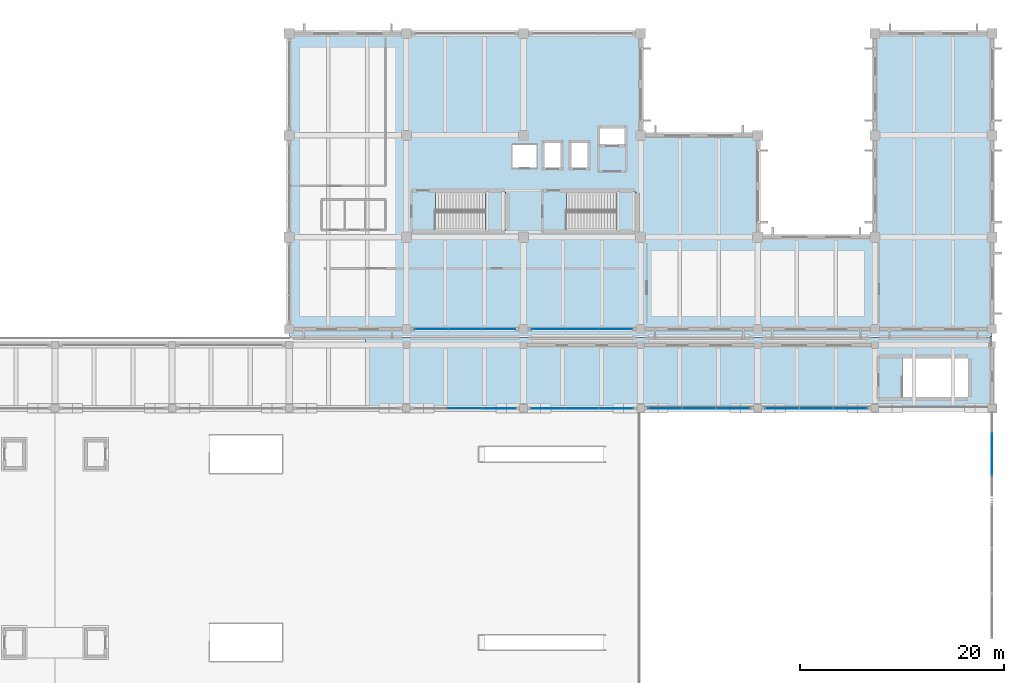
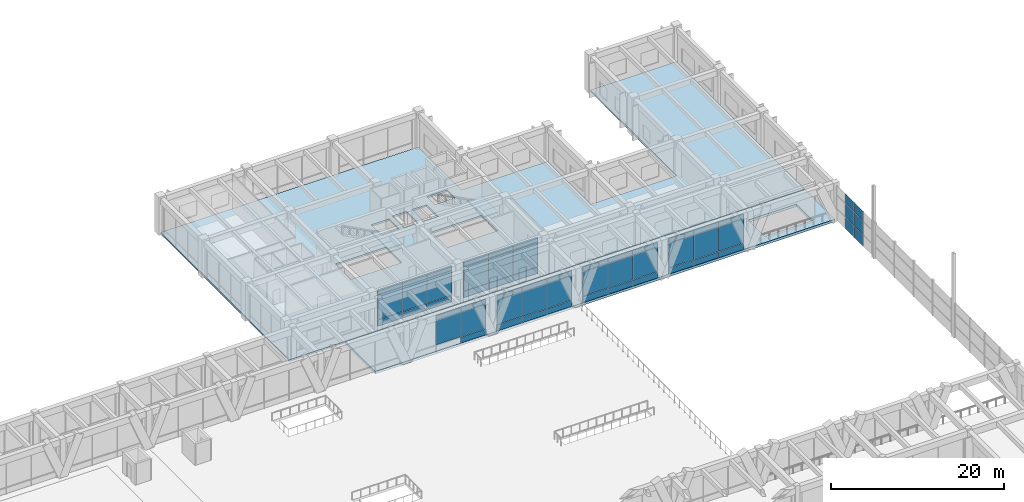
# One storey, part 122 of 148: 56 plates, 4 slabs, 9 elements without a shape of their own.
"""IFC4 building model written with IfcOpenShell, lengths in metres."""

from ifc_helpers import new_model, si_unit, direction, frame, origin, origin_2d, place, context, subcontext, project, spatial, polyline, rectangle, outline, extrude, material, layer, layer_set, type_object, element, aggregate, save


model = new_model("IFC4")

# Units and contexts
model_context = context("Model", 3, precision=1e-05, world=origin(), true_north=direction((0.0, 1.0)))
body_context = subcontext(model_context, "Body", "Model", "MODEL_VIEW")
ifc_project = project(units=[si_unit("LENGTHUNIT", "METRE"), si_unit("AREAUNIT", "SQUARE_METRE"), si_unit("VOLUMEUNIT", "CUBIC_METRE"), si_unit("PLANEANGLEUNIT", "RADIAN"), si_unit("MASSUNIT", "GRAM", prefix="KILO")], contexts=[model_context])

# Site, building, storey
site_placement = place(None, origin())
site = spatial("IfcSite", under=ifc_project, at=site_placement, CompositionType="ELEMENT")
building_placement = place(site_placement, origin())
building = spatial("IfcBuilding", under=site, at=building_placement, Name="Ologun Quay Terminus", CompositionType="ELEMENT")
storey_placement = place(building_placement, frame((0.0, 0.0, 8.39990234375)))
storey = spatial("IfcBuildingStorey", under=building, at=storey_placement, Name="L02", CompositionType="ELEMENT", Elevation=8.39990234375)

# Curtain wall, plates
ifc_material_1 = material(Name="Aluminium 6063-T6", Category="aluminium")
curtain_wall_type_1 = type_object("IfcCurtainWallType", Name="Train Shed Gable Arch Screen 13500x4900", PredefinedType="USERDEFINED", material=ifc_material_1)
curtain_wall_1_placement = place(storey_placement, origin())
curtain_wall_1 = element("IfcCurtainWall", 1, at=curtain_wall_1_placement, inside=storey, type_object=curtain_wall_type_1, Name="CW-10 Curtain Wall CW-GBL-E3", ObjectType="UNITISED CURTAIN WALL", PredefinedType="USERDEFINED")
ifc_material_2 = material(Name="Glass", Category="glass")
ifc_layer_1 = layer(ifc_material_2, 0.031982421875)
ifc_layer_set_1 = layer_set([ifc_layer_1], Name="Glass")
plate_type_1 = type_object("IfcPlateType", Name="Acoustic Low-E Laminated Glazed Panel 32", PredefinedType="CURTAIN_PANEL", material=ifc_layer_set_1)
plate_1_placement = place(storey_placement, frame((184.0, 72.47509765625, 0.170166015625), z_axis=(0.0, 0.0, 1.0), x_axis=(0.0, 1.0, 0.0)))
plate_1 = element("IfcPlate", 2, at=plate_1_placement, type_object=plate_type_1, Name="CW-GBL-E3 Panel B2-1", PredefinedType="CURTAIN_PANEL", context=body_context, shape_type="SweptSolid", body=[
    extrude(rectangle(XDim=2.050048828125, YDim=0.031982421875, at=origin_2d()), origin(), (0.0, 0.0, 1.0), 1.60009765625),
])
plate_2_placement = place(storey_placement, frame((184.0, 72.47509765625, 1.830078125), z_axis=(0.0, 0.0, 1.0), x_axis=(0.0, 1.0, 0.0)))
plate_2 = element("IfcPlate", 3, at=plate_2_placement, type_object=plate_type_1, Name="CW-GBL-E3 Panel B2-2", PredefinedType="CURTAIN_PANEL", context=body_context, shape_type="SweptSolid", body=[
    extrude(rectangle(XDim=2.050048828125, YDim=0.031982421875, at=origin_2d()), origin(), (0.0, 0.0, 1.0), 1.840087890625),
])
plate_3_placement = place(storey_placement, frame((184.0, 72.47509765625, 3.72998046875), z_axis=(0.0, 0.0, 1.0), x_axis=(0.0, 1.0, 0.0)))
plate_3 = element("IfcPlate", 4, at=plate_3_placement, type_object=plate_type_1, Name="CW-GBL-E3 Panel B2-3", PredefinedType="CURTAIN_PANEL", context=body_context, shape_type="SweptSolid", body=[
    extrude(rectangle(XDim=2.050048828125, YDim=0.031982421875, at=origin_2d()), origin(), (0.0, 0.0, 1.0), 1.340087890625),
])
plate_4_placement = place(storey_placement, frame((184.0, 74.52490234375, 0.170166015625), z_axis=(0.0, 0.0, 1.0), x_axis=(0.0, 1.0, 0.0)))
plate_4 = element("IfcPlate", 5, at=plate_4_placement, type_object=plate_type_1, Name="CW-GBL-E3 Panel B3-1", PredefinedType="CURTAIN_PANEL", context=body_context, shape_type="SweptSolid", body=[
    extrude(rectangle(XDim=2.050048828125, YDim=0.031982421875, at=origin_2d()), origin(), (0.0, 0.0, 1.0), 1.60009765625),
])
plate_5_placement = place(storey_placement, frame((184.0, 74.52490234375, 1.830078125), z_axis=(0.0, 0.0, 1.0), x_axis=(0.0, 1.0, 0.0)))
plate_5 = element("IfcPlate", 6, at=plate_5_placement, type_object=plate_type_1, Name="CW-GBL-E3 Panel B3-2", PredefinedType="CURTAIN_PANEL", context=body_context, shape_type="SweptSolid", body=[
    extrude(rectangle(XDim=2.050048828125, YDim=0.031982421875, at=origin_2d()), origin(), (0.0, 0.0, 1.0), 1.840087890625),
])
plate_6_placement = place(storey_placement, frame((184.0, 74.52490234375, 3.72998046875), z_axis=(0.0, 0.0, 1.0), x_axis=(0.0, 1.0, 0.0)))
plate_6 = element("IfcPlate", 7, at=plate_6_placement, type_object=plate_type_1, Name="CW-GBL-E3 Panel B3-3", PredefinedType="CURTAIN_PANEL", context=body_context, shape_type="SweptSolid", body=[
    extrude(rectangle(XDim=2.050048828125, YDim=0.031982421875, at=origin_2d()), origin(), (0.0, 0.0, 1.0), 1.340087890625),
])
aggregate(curtain_wall_1, [plate_1, plate_2, plate_3, plate_4, plate_5, plate_6])

# Slab
ifc_material_3 = material(Name="Concrete C40/50", Category="concrete")
ifc_layer_2 = layer(ifc_material_3, 0.35009765625)
ifc_layer_set_2 = layer_set([ifc_layer_2], Name="Concrete C40/50")
slab_type_1 = type_object("IfcSlabType", Name="Elevated Concourse Deck Slab 350", PredefinedType="FLOOR", material=ifc_layer_set_2)
slab_1_placement = place(storey_placement, frame((0.0, 0.0, -0.349853515625)))
element("IfcSlab", 8, at=slab_1_placement, inside=storey, type_object=slab_type_1, Name="SL-CON North Concourse Courtyard Overlook Slab 3", PredefinedType="FLOOR", context=body_context, shape_type="SweptSolid", body=[
    extrude(outline(polyline([(122.5, 78.0), (184.0, 78.0), (184.0, 84.96240234375), (122.5, 84.96240234375), (122.5, 78.0)]), holes=[polyline([(175.22998046875, 79.10009765625), (175.22998046875, 82.89990234375), (181.64990234375, 82.89990234375), (181.64990234375, 79.10009765625), (175.22998046875, 79.10009765625)])]), origin(), (0.0, 0.0, 1.0), 0.349853515625),
])

# Curtain wall, plate
ifc_material_4 = material(Name="Aluminium 6063-T6", Category="aluminium")
curtain_wall_type_2 = type_object("IfcCurtainWallType", Name="Train Shed North Clerestory Curtain Wall 10700x4850", PredefinedType="USERDEFINED", material=ifc_material_4)
curtain_wall_2_placement = place(storey_placement, origin())
curtain_wall_2 = element("IfcCurtainWall", 9, at=curtain_wall_2_placement, inside=storey, type_object=curtain_wall_type_2, Name="CW-09 Curtain Wall CW-L02-067", ObjectType="UNITISED CURTAIN WALL", PredefinedType="USERDEFINED")
ifc_material_5 = material(Name="Aluminium 6063-T6", Category="aluminium")
ifc_layer_3 = layer(ifc_material_5, 0.050048828125)
ifc_layer_set_3 = layer_set([ifc_layer_3], Name="Aluminium 6063-T6")
plate_type_2 = type_object("IfcPlateType", Name="Insulated Aluminium Shadow-Box Spandrel 50", PredefinedType="CURTAIN_PANEL", material=ifc_layer_set_3)
plate_7_placement = place(storey_placement, frame((135.586669921875, 78.0, 0.0302734375), z_axis=(0.0, 0.0, 1.0), x_axis=(1.0, 0.0, 0.0)))
plate_7 = element("IfcPlate", 10, at=plate_7_placement, type_object=plate_type_2, Name="CW-L02-067 Panel B3-1", PredefinedType="CURTAIN_PANEL", context=body_context, shape_type="SweptSolid", body=[
    extrude(rectangle(XDim=3.336669921875, YDim=0.050048828125, at=origin_2d()), origin(), (0.0, 0.0, 1.0), 0.840087890625),
])

# Curtain wall, plates
curtain_wall_3_placement = place(storey_placement, origin())
curtain_wall_3 = element("IfcCurtainWall", 11, at=curtain_wall_3_placement, inside=storey, type_object=curtain_wall_type_2, Name="CW-09 Curtain Wall CW-L02-069", ObjectType="UNITISED CURTAIN WALL", PredefinedType="USERDEFINED")
plate_8_placement = place(storey_placement, frame((140.413330078125, 78.0, 0.0302734375), z_axis=(0.0, 0.0, 1.0), x_axis=(1.0, 0.0, 0.0)))
plate_8 = element("IfcPlate", 12, at=plate_8_placement, type_object=plate_type_2, Name="CW-L02-069 Panel B1-1", PredefinedType="CURTAIN_PANEL", context=body_context, shape_type="SweptSolid", body=[
    extrude(rectangle(XDim=3.336669921875, YDim=0.050048828125, at=origin_2d()), origin(), (0.0, 0.0, 1.0), 0.840087890625),
])
plate_9_placement = place(storey_placement, frame((143.75, 78.0, 0.0302734375), z_axis=(0.0, 0.0, 1.0), x_axis=(1.0, 0.0, 0.0)))
plate_9 = element("IfcPlate", 13, at=plate_9_placement, type_object=plate_type_2, Name="CW-L02-069 Panel B2-1", PredefinedType="CURTAIN_PANEL", context=body_context, shape_type="SweptSolid", body=[
    extrude(rectangle(XDim=3.336669921875, YDim=0.050048828125, at=origin_2d()), origin(), (0.0, 0.0, 1.0), 0.840087890625),
])
plate_10_placement = place(storey_placement, frame((147.086669921875, 78.0, 0.0302734375), z_axis=(0.0, 0.0, 1.0), x_axis=(1.0, 0.0, 0.0)))
plate_10 = element("IfcPlate", 14, at=plate_10_placement, type_object=plate_type_2, Name="CW-L02-069 Panel B3-1", PredefinedType="CURTAIN_PANEL", context=body_context, shape_type="SweptSolid", body=[
    extrude(rectangle(XDim=3.336669921875, YDim=0.050048828125, at=origin_2d()), origin(), (0.0, 0.0, 1.0), 0.840087890625),
])

curtain_wall_4_placement = place(storey_placement, origin())
curtain_wall_4 = element("IfcCurtainWall", 15, at=curtain_wall_4_placement, inside=storey, type_object=curtain_wall_type_2, Name="CW-09 Curtain Wall CW-L02-071", ObjectType="UNITISED CURTAIN WALL", PredefinedType="USERDEFINED")
plate_11_placement = place(storey_placement, frame((151.913330078125, 78.0, 0.0302734375), z_axis=(0.0, 0.0, 1.0), x_axis=(1.0, 0.0, 0.0)))
plate_11 = element("IfcPlate", 16, at=plate_11_placement, type_object=plate_type_2, Name="CW-L02-071 Panel B1-1", PredefinedType="CURTAIN_PANEL", context=body_context, shape_type="SweptSolid", body=[
    extrude(rectangle(XDim=3.336669921875, YDim=0.050048828125, at=origin_2d()), origin(), (0.0, 0.0, 1.0), 0.840087890625),
])
plate_12_placement = place(storey_placement, frame((155.25, 78.0, 0.0302734375), z_axis=(0.0, 0.0, 1.0), x_axis=(1.0, 0.0, 0.0)))
plate_12 = element("IfcPlate", 17, at=plate_12_placement, type_object=plate_type_2, Name="CW-L02-071 Panel B2-1", PredefinedType="CURTAIN_PANEL", context=body_context, shape_type="SweptSolid", body=[
    extrude(rectangle(XDim=3.336669921875, YDim=0.050048828125, at=origin_2d()), origin(), (0.0, 0.0, 1.0), 0.840087890625),
])
plate_13_placement = place(storey_placement, frame((158.586669921875, 78.0, 0.0302734375), z_axis=(0.0, 0.0, 1.0), x_axis=(1.0, 0.0, 0.0)))
plate_13 = element("IfcPlate", 18, at=plate_13_placement, type_object=plate_type_2, Name="CW-L02-071 Panel B3-1", PredefinedType="CURTAIN_PANEL", context=body_context, shape_type="SweptSolid", body=[
    extrude(rectangle(XDim=3.336669921875, YDim=0.050048828125, at=origin_2d()), origin(), (0.0, 0.0, 1.0), 0.840087890625),
])

curtain_wall_5_placement = place(storey_placement, origin())
curtain_wall_5 = element("IfcCurtainWall", 19, at=curtain_wall_5_placement, inside=storey, type_object=curtain_wall_type_2, Name="CW-09 Curtain Wall CW-L02-073", ObjectType="UNITISED CURTAIN WALL", PredefinedType="USERDEFINED")
plate_14_placement = place(storey_placement, frame((163.413330078125, 78.0, 0.0302734375), z_axis=(0.0, 0.0, 1.0), x_axis=(1.0, 0.0, 0.0)))
plate_14 = element("IfcPlate", 20, at=plate_14_placement, type_object=plate_type_2, Name="CW-L02-073 Panel B1-1", PredefinedType="CURTAIN_PANEL", context=body_context, shape_type="SweptSolid", body=[
    extrude(rectangle(XDim=3.336669921875, YDim=0.050048828125, at=origin_2d()), origin(), (0.0, 0.0, 1.0), 0.840087890625),
])
plate_15_placement = place(storey_placement, frame((166.75, 78.0, 0.0302734375), z_axis=(0.0, 0.0, 1.0), x_axis=(1.0, 0.0, 0.0)))
plate_15 = element("IfcPlate", 21, at=plate_15_placement, type_object=plate_type_2, Name="CW-L02-073 Panel B2-1", PredefinedType="CURTAIN_PANEL", context=body_context, shape_type="SweptSolid", body=[
    extrude(rectangle(XDim=3.336669921875, YDim=0.050048828125, at=origin_2d()), origin(), (0.0, 0.0, 1.0), 0.840087890625),
])
plate_16_placement = place(storey_placement, frame((170.086669921875, 78.0, 0.0302734375), z_axis=(0.0, 0.0, 1.0), x_axis=(1.0, 0.0, 0.0)))
plate_16 = element("IfcPlate", 22, at=plate_16_placement, type_object=plate_type_2, Name="CW-L02-073 Panel B3-1", PredefinedType="CURTAIN_PANEL", context=body_context, shape_type="SweptSolid", body=[
    extrude(rectangle(XDim=3.336669921875, YDim=0.050048828125, at=origin_2d()), origin(), (0.0, 0.0, 1.0), 0.840087890625),
])

ifc_material_6 = material(Name="Aluminium 6063-T6", Category="aluminium")
curtain_wall_type_3 = type_object("IfcCurtainWallType", Name="Waterfront Pavilion Harbour Curtain Wall L02 10500x5000", PredefinedType="USERDEFINED", material=ifc_material_6)
curtain_wall_6_placement = place(storey_placement, origin())
curtain_wall_6 = element("IfcCurtainWall", 23, at=curtain_wall_6_placement, inside=storey, type_object=curtain_wall_type_3, Name="CW-24 Curtain Wall CW-L02-131", ObjectType="UNITISED CURTAIN WALL", PredefinedType="USERDEFINED")
plate_17_placement = place(storey_placement, frame((128.96337890625, 85.800048828125, 0.0302734375), z_axis=(0.0, 0.0, 1.0), x_axis=(1.0, 0.0, 0.0)))
plate_17 = element("IfcPlate", 24, at=plate_17_placement, type_object=plate_type_2, Name="CW-L02-131 Panel B1-1", PredefinedType="CURTAIN_PANEL", context=body_context, shape_type="SweptSolid", body=[
    extrude(rectangle(XDim=3.28662109375, YDim=0.050048828125, at=origin_2d()), origin(), (0.0, 0.0, 1.0), 0.840087890625),
])
plate_18_placement = place(storey_placement, frame((132.25, 85.800048828125, 0.0302734375), z_axis=(0.0, 0.0, 1.0), x_axis=(1.0, 0.0, 0.0)))
plate_18 = element("IfcPlate", 25, at=plate_18_placement, type_object=plate_type_2, Name="CW-L02-131 Panel B2-1", PredefinedType="CURTAIN_PANEL", context=body_context, shape_type="SweptSolid", body=[
    extrude(rectangle(XDim=3.28662109375, YDim=0.050048828125, at=origin_2d()), origin(), (0.0, 0.0, 1.0), 0.840087890625),
])
plate_19_placement = place(storey_placement, frame((135.53662109375, 85.800048828125, 0.0302734375), z_axis=(0.0, 0.0, 1.0), x_axis=(1.0, 0.0, 0.0)))
plate_19 = element("IfcPlate", 26, at=plate_19_placement, type_object=plate_type_2, Name="CW-L02-131 Panel B3-1", PredefinedType="CURTAIN_PANEL", context=body_context, shape_type="SweptSolid", body=[
    extrude(rectangle(XDim=3.28662109375, YDim=0.050048828125, at=origin_2d()), origin(), (0.0, 0.0, 1.0), 0.840087890625),
])

curtain_wall_7_placement = place(storey_placement, origin())
curtain_wall_7 = element("IfcCurtainWall", 27, at=curtain_wall_7_placement, inside=storey, type_object=curtain_wall_type_3, Name="CW-24 Curtain Wall CW-L02-132", ObjectType="UNITISED CURTAIN WALL", PredefinedType="USERDEFINED")
plate_20_placement = place(storey_placement, frame((140.46337890625, 85.800048828125, 0.0302734375), z_axis=(0.0, 0.0, 1.0), x_axis=(1.0, 0.0, 0.0)))
plate_20 = element("IfcPlate", 28, at=plate_20_placement, type_object=plate_type_2, Name="CW-L02-132 Panel B1-1", PredefinedType="CURTAIN_PANEL", context=body_context, shape_type="SweptSolid", body=[
    extrude(rectangle(XDim=3.28662109375, YDim=0.050048828125, at=origin_2d()), origin(), (0.0, 0.0, 1.0), 0.840087890625),
])
plate_21_placement = place(storey_placement, frame((143.75, 85.800048828125, 0.0302734375), z_axis=(0.0, 0.0, 1.0), x_axis=(1.0, 0.0, 0.0)))
plate_21 = element("IfcPlate", 29, at=plate_21_placement, type_object=plate_type_2, Name="CW-L02-132 Panel B2-1", PredefinedType="CURTAIN_PANEL", context=body_context, shape_type="SweptSolid", body=[
    extrude(rectangle(XDim=3.28662109375, YDim=0.050048828125, at=origin_2d()), origin(), (0.0, 0.0, 1.0), 0.840087890625),
])
plate_22_placement = place(storey_placement, frame((147.03662109375, 85.800048828125, 0.0302734375), z_axis=(0.0, 0.0, 1.0), x_axis=(1.0, 0.0, 0.0)))
plate_22 = element("IfcPlate", 30, at=plate_22_placement, type_object=plate_type_2, Name="CW-L02-132 Panel B3-1", PredefinedType="CURTAIN_PANEL", context=body_context, shape_type="SweptSolid", body=[
    extrude(rectangle(XDim=3.28662109375, YDim=0.050048828125, at=origin_2d()), origin(), (0.0, 0.0, 1.0), 0.840087890625),
])

# Slab
ifc_material_7 = material(Name="Concrete C40/50", Category="concrete")
ifc_layer_4 = layer(ifc_material_7, 0.25)
ifc_layer_set_4 = layer_set([ifc_layer_4], Name="Concrete C40/50")
slab_type_2 = type_object("IfcSlabType", Name="North Wing Floor Slab 250", PredefinedType="FLOOR", material=ifc_layer_set_4)
slab_2_placement = place(storey_placement, frame((0.0, 0.0, -0.25)))
element("IfcSlab", 31, at=slab_2_placement, inside=storey, type_object=slab_type_2, Name="SL-TWR North Wing Floor Slab L02 EWNG", PredefinedType="FLOOR", context=body_context, shape_type="SweptSolid", body=[
    extrude(outline(polyline([(115.0, 85.03759765625), (184.0, 85.03759765625), (184.0, 114.800048828125), (172.5, 114.800048828125), (172.5, 94.800048828125), (161.0, 94.800048828125), (161.0, 104.800048828125), (149.5, 104.800048828125), (149.5, 114.800048828125), (115.0, 114.800048828125), (115.0, 85.03759765625)]), holes=[polyline([(145.35009765625, 103.780029296875), (145.35009765625, 105.6201171875), (148.050048828125, 105.6201171875), (148.050048828125, 103.780029296875), (145.35009765625, 103.780029296875)]), polyline([(139.89990234375, 101.5), (139.89990234375, 104.199951171875), (141.800048828125, 104.199951171875), (141.800048828125, 101.5), (139.89990234375, 101.5)]), polyline([(142.550048828125, 101.5), (142.550048828125, 104.199951171875), (144.449951171875, 104.199951171875), (144.449951171875, 101.5), (142.550048828125, 101.5)]), polyline([(129.3798828125, 95.550048828125), (129.3798828125, 99.14990234375), (136.14990234375, 99.14990234375), (136.14990234375, 95.550048828125), (129.3798828125, 95.550048828125)]), polyline([(142.22998046875, 95.550048828125), (142.22998046875, 99.14990234375), (148.949951171875, 99.14990234375), (148.949951171875, 95.550048828125), (142.22998046875, 95.550048828125)]), polyline([(136.89990234375, 101.60009765625), (136.89990234375, 103.89990234375), (139.300048828125, 103.89990234375), (139.300048828125, 101.60009765625), (136.89990234375, 101.60009765625)])]), origin(), (0.0, 0.0, 1.0), 0.25),
])

# Stair, slab
ifc_material_8 = material(Name="Concrete C40/50", Category="concrete")
stair_type = type_object("IfcStairType", Name="Courtyard Wing Concourse Core Stair 1700", PredefinedType="HALF_TURN_STAIR", material=ifc_material_8)
stair_1_placement = place(storey_placement, origin())
stair_1 = element("IfcStair", 32, at=stair_1_placement, inside=storey, type_object=stair_type, Name="ST-E1 Stair L02", PredefinedType="HALF_TURN_STAIR")
ifc_material_9 = material(Name="Precast Concrete C40/50", Category="concrete")
ifc_layer_5 = layer(ifc_material_9, 0.179931640625)
ifc_layer_set_5 = layer_set([ifc_layer_5], Name="Precast Concrete C40/50")
slab_type_3 = type_object("IfcSlabType", Name="Precast Stair Half-Landing Slab 180", PredefinedType="LANDING", material=ifc_layer_set_5)
slab_3_placement = place(storey_placement, frame((0.0, 0.0, 2.52001953125)))
slab_3 = element("IfcSlab", 33, at=slab_3_placement, type_object=slab_type_3, Name="ST-E1 Half-Landing L02", PredefinedType="LANDING", context=body_context, shape_type="SweptSolid", body=[
    extrude(outline(polyline([(134.25, 95.469970703125), (136.22998046875, 95.469970703125), (136.22998046875, 99.22998046875), (134.25, 99.22998046875), (134.25, 95.469970703125)])), origin(), (0.0, 0.0, 1.0), 0.18017578125),
])
aggregate(stair_1, [slab_3])

stair_2_placement = place(storey_placement, origin())
stair_2 = element("IfcStair", 34, at=stair_2_placement, inside=storey, type_object=stair_type, Name="ST-E2 Stair L02", PredefinedType="HALF_TURN_STAIR")
slab_4_placement = place(storey_placement, frame((0.0, 0.0, 2.52001953125)))
slab_4 = element("IfcSlab", 35, at=slab_4_placement, type_object=slab_type_3, Name="ST-E2 Half-Landing L02", PredefinedType="LANDING", context=body_context, shape_type="SweptSolid", body=[
    extrude(outline(polyline([(147.10009765625, 95.469970703125), (149.030029296875, 95.469970703125), (149.030029296875, 99.22998046875), (147.10009765625, 99.22998046875), (147.10009765625, 95.469970703125)])), origin(), (0.0, 0.0, 1.0), 0.18017578125),
])
aggregate(stair_2, [slab_4])

# Plate
ifc_material_10 = material(Name="Glass", Category="glass")
ifc_layer_6 = layer(ifc_material_10, 0.028076171875)
ifc_layer_set_6 = layer_set([ifc_layer_6], Name="Glass")
plate_type_3 = type_object("IfcPlateType", Name="Solar-Control Double Glazed Panel 28", PredefinedType="CURTAIN_PANEL", material=ifc_layer_set_6)
plate_23_placement = place(storey_placement, frame((132.25, 78.0, 0.93017578125), z_axis=(0.0, 0.0, 1.0), x_axis=(1.0, 0.0, 0.0)))
plate_23 = element("IfcPlate", 36, at=plate_23_placement, type_object=plate_type_3, Name="CW-L02-067 Panel B2-2", PredefinedType="CURTAIN_PANEL", context=body_context, shape_type="SweptSolid", body=[
    extrude(rectangle(XDim=3.336669921875, YDim=0.028076171875, at=origin_2d()), origin(), (0.0, 0.0, 1.0), 3.43994140625),
])

plate_24_placement = place(storey_placement, frame((132.25, 78.0, 4.43017578125), z_axis=(0.0, 0.0, 1.0), x_axis=(1.0, 0.0, 0.0)))
plate_24 = element("IfcPlate", 37, at=plate_24_placement, type_object=plate_type_3, Name="CW-L02-067 Panel B2-3", PredefinedType="CURTAIN_PANEL", context=body_context, shape_type="SweptSolid", body=[
    extrude(rectangle(XDim=3.336669921875, YDim=0.028076171875, at=origin_2d()), origin(), (0.0, 0.0, 1.0), 0.639892578125),
])

plate_25_placement = place(storey_placement, frame((135.586669921875, 78.0, 0.93017578125), z_axis=(0.0, 0.0, 1.0), x_axis=(1.0, 0.0, 0.0)))
plate_25 = element("IfcPlate", 38, at=plate_25_placement, type_object=plate_type_3, Name="CW-L02-067 Panel B3-2", PredefinedType="CURTAIN_PANEL", context=body_context, shape_type="SweptSolid", body=[
    extrude(rectangle(XDim=3.336669921875, YDim=0.028076171875, at=origin_2d()), origin(), (0.0, 0.0, 1.0), 3.43994140625),
])

plate_26_placement = place(storey_placement, frame((135.586669921875, 78.0, 4.43017578125), z_axis=(0.0, 0.0, 1.0), x_axis=(1.0, 0.0, 0.0)))
plate_26 = element("IfcPlate", 39, at=plate_26_placement, type_object=plate_type_3, Name="CW-L02-067 Panel B3-3", PredefinedType="CURTAIN_PANEL", context=body_context, shape_type="SweptSolid", body=[
    extrude(rectangle(XDim=3.336669921875, YDim=0.028076171875, at=origin_2d()), origin(), (0.0, 0.0, 1.0), 0.639892578125),
])

aggregate(curtain_wall_2, [plate_23, plate_24, plate_7, plate_25, plate_26])

plate_27_placement = place(storey_placement, frame((140.413330078125, 78.0, 0.93017578125), z_axis=(0.0, 0.0, 1.0), x_axis=(1.0, 0.0, 0.0)))
plate_27 = element("IfcPlate", 40, at=plate_27_placement, type_object=plate_type_3, Name="CW-L02-069 Panel B1-2", PredefinedType="CURTAIN_PANEL", context=body_context, shape_type="SweptSolid", body=[
    extrude(rectangle(XDim=3.336669921875, YDim=0.028076171875, at=origin_2d()), origin(), (0.0, 0.0, 1.0), 3.43994140625),
])

plate_28_placement = place(storey_placement, frame((140.413330078125, 78.0, 4.43017578125), z_axis=(0.0, 0.0, 1.0), x_axis=(1.0, 0.0, 0.0)))
plate_28 = element("IfcPlate", 41, at=plate_28_placement, type_object=plate_type_3, Name="CW-L02-069 Panel B1-3", PredefinedType="CURTAIN_PANEL", context=body_context, shape_type="SweptSolid", body=[
    extrude(rectangle(XDim=3.336669921875, YDim=0.028076171875, at=origin_2d()), origin(), (0.0, 0.0, 1.0), 0.639892578125),
])

plate_29_placement = place(storey_placement, frame((143.75, 78.0, 0.93017578125), z_axis=(0.0, 0.0, 1.0), x_axis=(1.0, 0.0, 0.0)))
plate_29 = element("IfcPlate", 42, at=plate_29_placement, type_object=plate_type_3, Name="CW-L02-069 Panel B2-2", PredefinedType="CURTAIN_PANEL", context=body_context, shape_type="SweptSolid", body=[
    extrude(rectangle(XDim=3.336669921875, YDim=0.028076171875, at=origin_2d()), origin(), (0.0, 0.0, 1.0), 3.43994140625),
])

plate_30_placement = place(storey_placement, frame((143.75, 78.0, 4.43017578125), z_axis=(0.0, 0.0, 1.0), x_axis=(1.0, 0.0, 0.0)))
plate_30 = element("IfcPlate", 43, at=plate_30_placement, type_object=plate_type_3, Name="CW-L02-069 Panel B2-3", PredefinedType="CURTAIN_PANEL", context=body_context, shape_type="SweptSolid", body=[
    extrude(rectangle(XDim=3.336669921875, YDim=0.028076171875, at=origin_2d()), origin(), (0.0, 0.0, 1.0), 0.639892578125),
])

plate_31_placement = place(storey_placement, frame((147.086669921875, 78.0, 0.93017578125), z_axis=(0.0, 0.0, 1.0), x_axis=(1.0, 0.0, 0.0)))
plate_31 = element("IfcPlate", 44, at=plate_31_placement, type_object=plate_type_3, Name="CW-L02-069 Panel B3-2", PredefinedType="CURTAIN_PANEL", context=body_context, shape_type="SweptSolid", body=[
    extrude(rectangle(XDim=3.336669921875, YDim=0.028076171875, at=origin_2d()), origin(), (0.0, 0.0, 1.0), 3.43994140625),
])

plate_32_placement = place(storey_placement, frame((147.086669921875, 78.0, 4.43017578125), z_axis=(0.0, 0.0, 1.0), x_axis=(1.0, 0.0, 0.0)))
plate_32 = element("IfcPlate", 45, at=plate_32_placement, type_object=plate_type_3, Name="CW-L02-069 Panel B3-3", PredefinedType="CURTAIN_PANEL", context=body_context, shape_type="SweptSolid", body=[
    extrude(rectangle(XDim=3.336669921875, YDim=0.028076171875, at=origin_2d()), origin(), (0.0, 0.0, 1.0), 0.639892578125),
])

aggregate(curtain_wall_3, [plate_8, plate_27, plate_28, plate_9, plate_29, plate_30, plate_10, plate_31, plate_32])

plate_33_placement = place(storey_placement, frame((151.913330078125, 78.0, 0.93017578125), z_axis=(0.0, 0.0, 1.0), x_axis=(1.0, 0.0, 0.0)))
plate_33 = element("IfcPlate", 46, at=plate_33_placement, type_object=plate_type_3, Name="CW-L02-071 Panel B1-2", PredefinedType="CURTAIN_PANEL", context=body_context, shape_type="SweptSolid", body=[
    extrude(rectangle(XDim=3.336669921875, YDim=0.028076171875, at=origin_2d()), origin(), (0.0, 0.0, 1.0), 3.43994140625),
])

plate_34_placement = place(storey_placement, frame((151.913330078125, 78.0, 4.43017578125), z_axis=(0.0, 0.0, 1.0), x_axis=(1.0, 0.0, 0.0)))
plate_34 = element("IfcPlate", 47, at=plate_34_placement, type_object=plate_type_3, Name="CW-L02-071 Panel B1-3", PredefinedType="CURTAIN_PANEL", context=body_context, shape_type="SweptSolid", body=[
    extrude(rectangle(XDim=3.336669921875, YDim=0.028076171875, at=origin_2d()), origin(), (0.0, 0.0, 1.0), 0.639892578125),
])

plate_35_placement = place(storey_placement, frame((155.25, 78.0, 0.93017578125), z_axis=(0.0, 0.0, 1.0), x_axis=(1.0, 0.0, 0.0)))
plate_35 = element("IfcPlate", 48, at=plate_35_placement, type_object=plate_type_3, Name="CW-L02-071 Panel B2-2", PredefinedType="CURTAIN_PANEL", context=body_context, shape_type="SweptSolid", body=[
    extrude(rectangle(XDim=3.336669921875, YDim=0.028076171875, at=origin_2d()), origin(), (0.0, 0.0, 1.0), 3.43994140625),
])

plate_36_placement = place(storey_placement, frame((155.25, 78.0, 4.43017578125), z_axis=(0.0, 0.0, 1.0), x_axis=(1.0, 0.0, 0.0)))
plate_36 = element("IfcPlate", 49, at=plate_36_placement, type_object=plate_type_3, Name="CW-L02-071 Panel B2-3", PredefinedType="CURTAIN_PANEL", context=body_context, shape_type="SweptSolid", body=[
    extrude(rectangle(XDim=3.336669921875, YDim=0.028076171875, at=origin_2d()), origin(), (0.0, 0.0, 1.0), 0.639892578125),
])

plate_37_placement = place(storey_placement, frame((158.586669921875, 78.0, 0.93017578125), z_axis=(0.0, 0.0, 1.0), x_axis=(1.0, 0.0, 0.0)))
plate_37 = element("IfcPlate", 50, at=plate_37_placement, type_object=plate_type_3, Name="CW-L02-071 Panel B3-2", PredefinedType="CURTAIN_PANEL", context=body_context, shape_type="SweptSolid", body=[
    extrude(rectangle(XDim=3.336669921875, YDim=0.028076171875, at=origin_2d()), origin(), (0.0, 0.0, 1.0), 3.43994140625),
])

plate_38_placement = place(storey_placement, frame((158.586669921875, 78.0, 4.43017578125), z_axis=(0.0, 0.0, 1.0), x_axis=(1.0, 0.0, 0.0)))
plate_38 = element("IfcPlate", 51, at=plate_38_placement, type_object=plate_type_3, Name="CW-L02-071 Panel B3-3", PredefinedType="CURTAIN_PANEL", context=body_context, shape_type="SweptSolid", body=[
    extrude(rectangle(XDim=3.336669921875, YDim=0.028076171875, at=origin_2d()), origin(), (0.0, 0.0, 1.0), 0.639892578125),
])

aggregate(curtain_wall_4, [plate_11, plate_33, plate_34, plate_12, plate_35, plate_36, plate_13, plate_37, plate_38])

plate_39_placement = place(storey_placement, frame((163.413330078125, 78.0, 0.93017578125), z_axis=(0.0, 0.0, 1.0), x_axis=(1.0, 0.0, 0.0)))
plate_39 = element("IfcPlate", 52, at=plate_39_placement, type_object=plate_type_3, Name="CW-L02-073 Panel B1-2", PredefinedType="CURTAIN_PANEL", context=body_context, shape_type="SweptSolid", body=[
    extrude(rectangle(XDim=3.336669921875, YDim=0.028076171875, at=origin_2d()), origin(), (0.0, 0.0, 1.0), 3.43994140625),
])

plate_40_placement = place(storey_placement, frame((163.413330078125, 78.0, 4.43017578125), z_axis=(0.0, 0.0, 1.0), x_axis=(1.0, 0.0, 0.0)))
plate_40 = element("IfcPlate", 53, at=plate_40_placement, type_object=plate_type_3, Name="CW-L02-073 Panel B1-3", PredefinedType="CURTAIN_PANEL", context=body_context, shape_type="SweptSolid", body=[
    extrude(rectangle(XDim=3.336669921875, YDim=0.028076171875, at=origin_2d()), origin(), (0.0, 0.0, 1.0), 0.639892578125),
])

plate_41_placement = place(storey_placement, frame((166.75, 78.0, 0.93017578125), z_axis=(0.0, 0.0, 1.0), x_axis=(1.0, 0.0, 0.0)))
plate_41 = element("IfcPlate", 54, at=plate_41_placement, type_object=plate_type_3, Name="CW-L02-073 Panel B2-2", PredefinedType="CURTAIN_PANEL", context=body_context, shape_type="SweptSolid", body=[
    extrude(rectangle(XDim=3.336669921875, YDim=0.028076171875, at=origin_2d()), origin(), (0.0, 0.0, 1.0), 3.43994140625),
])

plate_42_placement = place(storey_placement, frame((166.75, 78.0, 4.43017578125), z_axis=(0.0, 0.0, 1.0), x_axis=(1.0, 0.0, 0.0)))
plate_42 = element("IfcPlate", 55, at=plate_42_placement, type_object=plate_type_3, Name="CW-L02-073 Panel B2-3", PredefinedType="CURTAIN_PANEL", context=body_context, shape_type="SweptSolid", body=[
    extrude(rectangle(XDim=3.336669921875, YDim=0.028076171875, at=origin_2d()), origin(), (0.0, 0.0, 1.0), 0.639892578125),
])

plate_43_placement = place(storey_placement, frame((170.086669921875, 78.0, 0.93017578125), z_axis=(0.0, 0.0, 1.0), x_axis=(1.0, 0.0, 0.0)))
plate_43 = element("IfcPlate", 56, at=plate_43_placement, type_object=plate_type_3, Name="CW-L02-073 Panel B3-2", PredefinedType="CURTAIN_PANEL", context=body_context, shape_type="SweptSolid", body=[
    extrude(rectangle(XDim=3.336669921875, YDim=0.028076171875, at=origin_2d()), origin(), (0.0, 0.0, 1.0), 3.43994140625),
])

plate_44_placement = place(storey_placement, frame((170.086669921875, 78.0, 4.43017578125), z_axis=(0.0, 0.0, 1.0), x_axis=(1.0, 0.0, 0.0)))
plate_44 = element("IfcPlate", 57, at=plate_44_placement, type_object=plate_type_3, Name="CW-L02-073 Panel B3-3", PredefinedType="CURTAIN_PANEL", context=body_context, shape_type="SweptSolid", body=[
    extrude(rectangle(XDim=3.336669921875, YDim=0.028076171875, at=origin_2d()), origin(), (0.0, 0.0, 1.0), 0.639892578125),
])

aggregate(curtain_wall_5, [plate_14, plate_39, plate_40, plate_15, plate_41, plate_42, plate_16, plate_43, plate_44])

plate_45_placement = place(storey_placement, frame((128.96337890625, 85.800048828125, 0.93017578125), z_axis=(0.0, 0.0, 1.0), x_axis=(1.0, 0.0, 0.0)))
plate_45 = element("IfcPlate", 58, at=plate_45_placement, type_object=plate_type_3, Name="CW-L02-131 Panel B1-2", PredefinedType="CURTAIN_PANEL", context=body_context, shape_type="SweptSolid", body=[
    extrude(rectangle(XDim=3.28662109375, YDim=0.028076171875, at=origin_2d()), origin(), (0.0, 0.0, 1.0), 3.469970703125),
])

plate_46_placement = place(storey_placement, frame((128.96337890625, 85.800048828125, 4.4599609375), z_axis=(0.0, 0.0, 1.0), x_axis=(1.0, 0.0, 0.0)))
plate_46 = element("IfcPlate", 59, at=plate_46_placement, type_object=plate_type_3, Name="CW-L02-131 Panel B1-3", PredefinedType="CURTAIN_PANEL", context=body_context, shape_type="SweptSolid", body=[
    extrude(rectangle(XDim=3.28662109375, YDim=0.028076171875, at=origin_2d()), origin(), (0.0, 0.0, 1.0), 0.639892578125),
])

plate_47_placement = place(storey_placement, frame((132.25, 85.800048828125, 0.93017578125), z_axis=(0.0, 0.0, 1.0), x_axis=(1.0, 0.0, 0.0)))
plate_47 = element("IfcPlate", 60, at=plate_47_placement, type_object=plate_type_3, Name="CW-L02-131 Panel B2-2", PredefinedType="CURTAIN_PANEL", context=body_context, shape_type="SweptSolid", body=[
    extrude(rectangle(XDim=3.28662109375, YDim=0.028076171875, at=origin_2d()), origin(), (0.0, 0.0, 1.0), 3.469970703125),
])

plate_48_placement = place(storey_placement, frame((132.25, 85.800048828125, 4.4599609375), z_axis=(0.0, 0.0, 1.0), x_axis=(1.0, 0.0, 0.0)))
plate_48 = element("IfcPlate", 61, at=plate_48_placement, type_object=plate_type_3, Name="CW-L02-131 Panel B2-3", PredefinedType="CURTAIN_PANEL", context=body_context, shape_type="SweptSolid", body=[
    extrude(rectangle(XDim=3.28662109375, YDim=0.028076171875, at=origin_2d()), origin(), (0.0, 0.0, 1.0), 0.639892578125),
])

plate_49_placement = place(storey_placement, frame((135.53662109375, 85.800048828125, 0.93017578125), z_axis=(0.0, 0.0, 1.0), x_axis=(1.0, 0.0, 0.0)))
plate_49 = element("IfcPlate", 62, at=plate_49_placement, type_object=plate_type_3, Name="CW-L02-131 Panel B3-2", PredefinedType="CURTAIN_PANEL", context=body_context, shape_type="SweptSolid", body=[
    extrude(rectangle(XDim=3.28662109375, YDim=0.028076171875, at=origin_2d()), origin(), (0.0, 0.0, 1.0), 3.469970703125),
])

plate_50_placement = place(storey_placement, frame((135.53662109375, 85.800048828125, 4.4599609375), z_axis=(0.0, 0.0, 1.0), x_axis=(1.0, 0.0, 0.0)))
plate_50 = element("IfcPlate", 63, at=plate_50_placement, type_object=plate_type_3, Name="CW-L02-131 Panel B3-3", PredefinedType="CURTAIN_PANEL", context=body_context, shape_type="SweptSolid", body=[
    extrude(rectangle(XDim=3.28662109375, YDim=0.028076171875, at=origin_2d()), origin(), (0.0, 0.0, 1.0), 0.639892578125),
])

aggregate(curtain_wall_6, [plate_17, plate_45, plate_46, plate_18, plate_47, plate_48, plate_19, plate_49, plate_50])

plate_51_placement = place(storey_placement, frame((140.46337890625, 85.800048828125, 0.93017578125), z_axis=(0.0, 0.0, 1.0), x_axis=(1.0, 0.0, 0.0)))
plate_51 = element("IfcPlate", 64, at=plate_51_placement, type_object=plate_type_3, Name="CW-L02-132 Panel B1-2", PredefinedType="CURTAIN_PANEL", context=body_context, shape_type="SweptSolid", body=[
    extrude(rectangle(XDim=3.28662109375, YDim=0.028076171875, at=origin_2d()), origin(), (0.0, 0.0, 1.0), 3.469970703125),
])

plate_52_placement = place(storey_placement, frame((140.46337890625, 85.800048828125, 4.4599609375), z_axis=(0.0, 0.0, 1.0), x_axis=(1.0, 0.0, 0.0)))
plate_52 = element("IfcPlate", 65, at=plate_52_placement, type_object=plate_type_3, Name="CW-L02-132 Panel B1-3", PredefinedType="CURTAIN_PANEL", context=body_context, shape_type="SweptSolid", body=[
    extrude(rectangle(XDim=3.28662109375, YDim=0.028076171875, at=origin_2d()), origin(), (0.0, 0.0, 1.0), 0.639892578125),
])

plate_53_placement = place(storey_placement, frame((143.75, 85.800048828125, 0.93017578125), z_axis=(0.0, 0.0, 1.0), x_axis=(1.0, 0.0, 0.0)))
plate_53 = element("IfcPlate", 66, at=plate_53_placement, type_object=plate_type_3, Name="CW-L02-132 Panel B2-2", PredefinedType="CURTAIN_PANEL", context=body_context, shape_type="SweptSolid", body=[
    extrude(rectangle(XDim=3.28662109375, YDim=0.028076171875, at=origin_2d()), origin(), (0.0, 0.0, 1.0), 3.469970703125),
])

plate_54_placement = place(storey_placement, frame((143.75, 85.800048828125, 4.4599609375), z_axis=(0.0, 0.0, 1.0), x_axis=(1.0, 0.0, 0.0)))
plate_54 = element("IfcPlate", 67, at=plate_54_placement, type_object=plate_type_3, Name="CW-L02-132 Panel B2-3", PredefinedType="CURTAIN_PANEL", context=body_context, shape_type="SweptSolid", body=[
    extrude(rectangle(XDim=3.28662109375, YDim=0.028076171875, at=origin_2d()), origin(), (0.0, 0.0, 1.0), 0.639892578125),
])

plate_55_placement = place(storey_placement, frame((147.03662109375, 85.800048828125, 0.93017578125), z_axis=(0.0, 0.0, 1.0), x_axis=(1.0, 0.0, 0.0)))
plate_55 = element("IfcPlate", 68, at=plate_55_placement, type_object=plate_type_3, Name="CW-L02-132 Panel B3-2", PredefinedType="CURTAIN_PANEL", context=body_context, shape_type="SweptSolid", body=[
    extrude(rectangle(XDim=3.28662109375, YDim=0.028076171875, at=origin_2d()), origin(), (0.0, 0.0, 1.0), 3.469970703125),
])

plate_56_placement = place(storey_placement, frame((147.03662109375, 85.800048828125, 4.4599609375), z_axis=(0.0, 0.0, 1.0), x_axis=(1.0, 0.0, 0.0)))
plate_56 = element("IfcPlate", 69, at=plate_56_placement, type_object=plate_type_3, Name="CW-L02-132 Panel B3-3", PredefinedType="CURTAIN_PANEL", context=body_context, shape_type="SweptSolid", body=[
    extrude(rectangle(XDim=3.28662109375, YDim=0.028076171875, at=origin_2d()), origin(), (0.0, 0.0, 1.0), 0.639892578125),
])

aggregate(curtain_wall_7, [plate_20, plate_51, plate_52, plate_21, plate_53, plate_54, plate_22, plate_55, plate_56])

save(model, "model.ifc")
